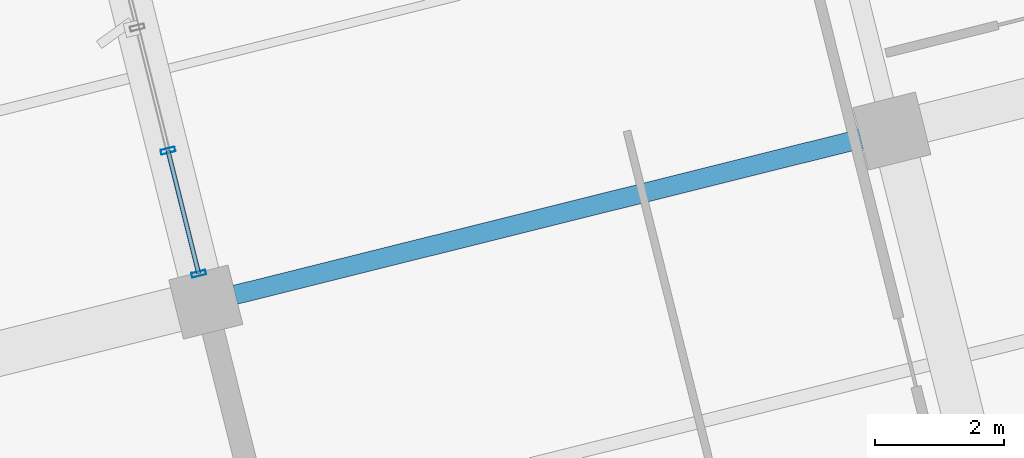
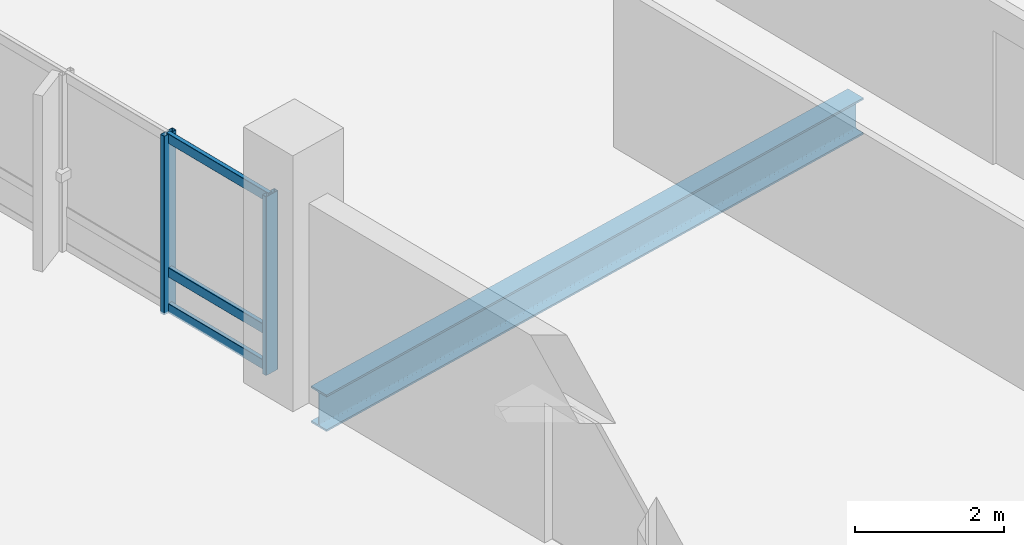
# One storey, part 31 of 75: 5 members, 1 beam, 1 element without a shape of its own.
"""IFC4 building model written with IfcOpenShell, lengths in metres."""

from ifc_helpers import new_model, si_unit, direction, frame, origin, origin_2d, place, context, subcontext, project, spatial, hollow_rectangle, i_section, extrude, material, layer, layer_set, material_profile, profile_set, type_object, element, aggregate, save


model = new_model("IFC4")

# Units and contexts
model_context = context("Model", 3, precision=1e-05, world=origin(), true_north=direction((0.0, 1.0)))
body_context = subcontext(model_context, "Body", "Model", "MODEL_VIEW")
ifc_project = project(units=[si_unit("LENGTHUNIT", "METRE"), si_unit("AREAUNIT", "SQUARE_METRE"), si_unit("VOLUMEUNIT", "CUBIC_METRE"), si_unit("PLANEANGLEUNIT", "RADIAN"), si_unit("MASSUNIT", "GRAM", prefix="KILO")], contexts=[model_context])

# Site, building, storey
site_placement = place(None, origin())
site = spatial("IfcSite", under=ifc_project, at=site_placement, CompositionType="ELEMENT")
building_placement = place(site_placement, origin())
building = spatial("IfcBuilding", under=site, at=building_placement, Name="Khorjan Park Terminus", CompositionType="ELEMENT")
storey_placement = place(building_placement, frame((0.0, 0.0, 16.2)))
storey = spatial("IfcBuildingStorey", under=building, at=storey_placement, Name="L03", CompositionType="ELEMENT", Elevation=16.2)

# Beam
ifc_material_1 = material(Name="Steel S355", Category="steel")
ifc_material_profile_1 = material_profile(ifc_material_1, i_section(OverallWidth=0.3, OverallDepth=0.6, WebThickness=0.0155, FlangeThickness=0.03, FilletRadius=0.027, at=origin_2d()), Name="HEB 600")
ifc_profile_set_1 = profile_set([ifc_material_profile_1], Name="Steel S355")
beam_type = type_object("IfcBeamType", Name="BM-HEB600", PredefinedType="BEAM", material=ifc_profile_set_1)
beam_placement = place(storey_placement, frame((185.1701, 63.4634, -0.65), z_axis=(0.970295301267, 0.24192360021, 0.0), x_axis=(-0.24192360021, 0.970295301267, 0.0)))
element("IfcBeam", 1, at=beam_placement, inside=storey, type_object=beam_type, Name="Primary skew-grid floor girder SB-B60 (L03)", PredefinedType="BEAM", context=body_context, shape_type="SweptSolid", body=[
    extrude(i_section(OverallWidth=0.3, OverallDepth=0.6, WebThickness=0.0155, FlangeThickness=0.03, FilletRadius=0.027, at=origin_2d()), origin(), (0.0, 0.0, 1.0), 10.035),
])

# Curtain wall, members
ifc_material_2 = material(Name="Anodized Bronze Aluminium", Category="aluminium")
ifc_layer = layer(ifc_material_2, 0.22)
ifc_layer_set = layer_set([ifc_layer], Name="Anodized Bronze Aluminium")
curtain_wall_type = type_object("IfcCurtainWallType", Name="CW-OPS-B", PredefinedType="NOTDEFINED", material=ifc_layer_set)
curtain_wall_placement = place(storey_placement, origin())
curtain_wall = element("IfcCurtainWall", 2, at=curtain_wall_placement, inside=storey, type_object=curtain_wall_type, Name="Unitized curtain wall CW-B (CW-V5-NW1-L03-B01)", PredefinedType="NOTDEFINED")
ifc_material_profile_2 = material_profile(ifc_material_2, hollow_rectangle(XDim=0.075, YDim=0.225, WallThickness=0.005, InnerFilletRadius=0.005, OuterFilletRadius=0.01, at=origin_2d()), Name="ALM 75x225x5")
ifc_profile_set_2 = profile_set([ifc_material_profile_2], Name="Anodized Bronze Aluminium")
member_type_1 = type_object("IfcMemberType", Name="ML-ALM-225", PredefinedType="MULLION", material=ifc_profile_set_2)
member_1_placement = place(storey_placement, frame((184.1266, 65.7058, -0.035), z_axis=(0.0, 0.0, 1.0), x_axis=(0.241922578481, -0.970295556014, 0.0)))
member_1 = element("IfcMember", 3, at=member_1_placement, type_object=member_type_1, Name="Curtain-wall mullion ML-22 (CW-V5-NW1-L03-B01-4)", PredefinedType="MULLION", context=body_context, shape_type="SweptSolid", body=[
    extrude(hollow_rectangle(XDim=0.075, YDim=0.225, WallThickness=0.005, InnerFilletRadius=0.005, OuterFilletRadius=0.01, at=origin_2d()), origin(), (0.0, 0.0, 1.0), 2.935),
])
member_2_placement = place(storey_placement, frame((184.6039, 63.7915, -0.035), z_axis=(0.0, 0.0, 1.0), x_axis=(0.241922578481, -0.970295556014, 0.0)))
member_2 = element("IfcMember", 4, at=member_2_placement, type_object=member_type_1, Name="Curtain-wall mullion ML-22 (CW-V5-NW1-L03-B01-5)", PredefinedType="MULLION", context=body_context, shape_type="SweptSolid", body=[
    extrude(hollow_rectangle(XDim=0.075, YDim=0.225, WallThickness=0.005, InnerFilletRadius=0.005, OuterFilletRadius=0.01, at=origin_2d()), origin(), (0.0, 0.0, 1.0), 2.935),
])
ifc_material_profile_3 = material_profile(ifc_material_2, hollow_rectangle(XDim=0.07, YDim=0.16, WallThickness=0.004, InnerFilletRadius=0.004, OuterFilletRadius=0.008, at=origin_2d()), Name="ALT 70x160x4")
ifc_profile_set_3 = profile_set([ifc_material_profile_3], Name="Anodized Bronze Aluminium")
member_type_2 = type_object("IfcMemberType", Name="TR-ALT-160", PredefinedType="USERDEFINED", material=ifc_profile_set_3)
member_3_placement = place(storey_placement, frame((184.1266, 65.7058, 0.04), z_axis=(0.241927337676, -0.970294369398, 0.0), x_axis=(0.970294369398, 0.241927337676, 0.0)))
member_3 = element("IfcMember", 5, at=member_3_placement, type_object=member_type_2, Name="Curtain-wall transom TR-16 (CW-V5-NW1-L03-B01-4-1)", ObjectType="TRANSOM", PredefinedType="USERDEFINED", context=body_context, shape_type="SweptSolid", body=[
    extrude(hollow_rectangle(XDim=0.07, YDim=0.16, WallThickness=0.004, InnerFilletRadius=0.004, OuterFilletRadius=0.008, at=origin_2d()), origin(), (0.0, 0.0, 1.0), 1.9729),
])
member_4_placement = place(storey_placement, frame((184.1266, 65.7058, 0.63), z_axis=(0.241927337676, -0.970294369398, 0.0), x_axis=(0.970294369398, 0.241927337676, 0.0)))
member_4 = element("IfcMember", 6, at=member_4_placement, type_object=member_type_2, Name="Curtain-wall transom TR-16 (CW-V5-NW1-L03-B01-4-2)", ObjectType="TRANSOM", PredefinedType="USERDEFINED", context=body_context, shape_type="SweptSolid", body=[
    extrude(hollow_rectangle(XDim=0.07, YDim=0.16, WallThickness=0.004, InnerFilletRadius=0.004, OuterFilletRadius=0.008, at=origin_2d()), origin(), (0.0, 0.0, 1.0), 1.9729),
])
member_5_placement = place(storey_placement, frame((184.1266, 65.7058, 2.825), z_axis=(0.241927337676, -0.970294369398, 0.0), x_axis=(0.970294369398, 0.241927337676, 0.0)))
member_5 = element("IfcMember", 7, at=member_5_placement, type_object=member_type_2, Name="Curtain-wall transom TR-16 (CW-V5-NW1-L03-B01-4-3)", ObjectType="TRANSOM", PredefinedType="USERDEFINED", context=body_context, shape_type="SweptSolid", body=[
    extrude(hollow_rectangle(XDim=0.07, YDim=0.16, WallThickness=0.004, InnerFilletRadius=0.004, OuterFilletRadius=0.008, at=origin_2d()), origin(), (0.0, 0.0, 1.0), 1.9729),
])
aggregate(curtain_wall, [member_1, member_2, member_3, member_4, member_5])

save(model, "model.ifc")
